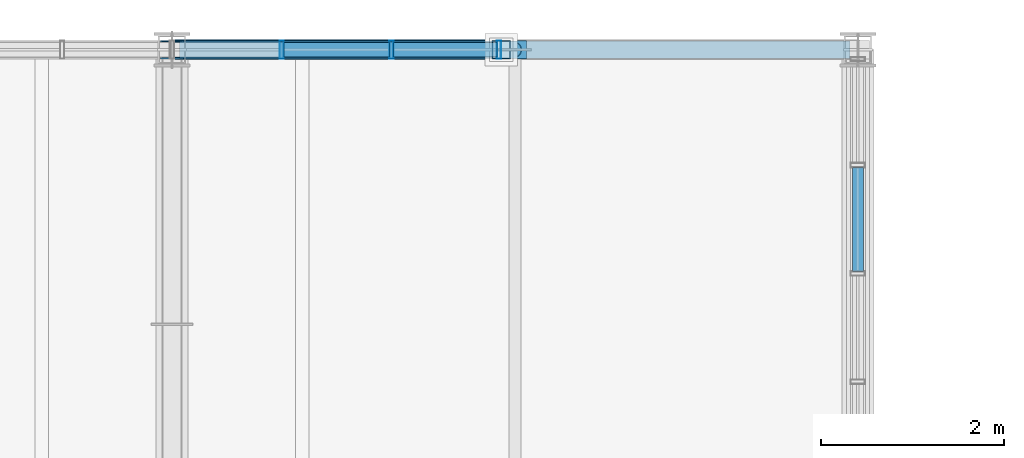
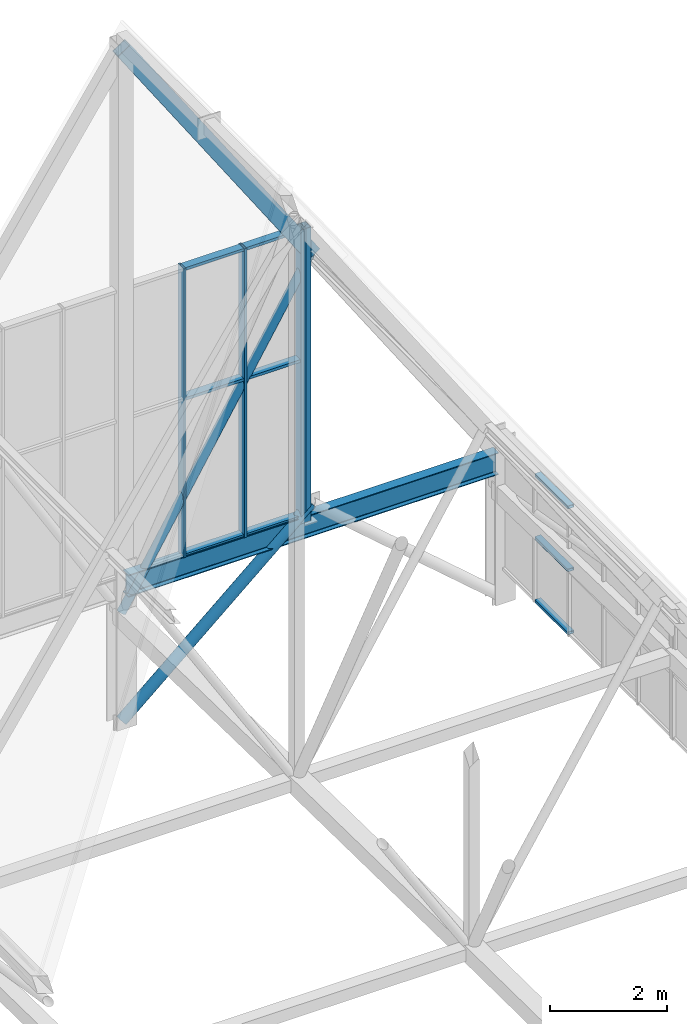
# One storey, part 243 of 324: 16 members, 1 beam, 2 elements without a shape of their own.
"""IFC4 building model written with IfcOpenShell, lengths in metres."""

from ifc_helpers import new_model, si_unit, direction, frame, origin, origin_2d, place, context, subcontext, project, spatial, hollow_rectangle, hollow_circle, i_section, extrude, material, layer, layer_set, material_profile, profile_set, type_object, element, aggregate, save


model = new_model("IFC4")

# Units and contexts
model_context = context("Model", 3, precision=1e-05, world=origin(), true_north=direction((0.0, 1.0)))
body_context = subcontext(model_context, "Body", "Model", "MODEL_VIEW")
ifc_project = project(units=[si_unit("LENGTHUNIT", "METRE"), si_unit("AREAUNIT", "SQUARE_METRE"), si_unit("VOLUMEUNIT", "CUBIC_METRE"), si_unit("PLANEANGLEUNIT", "RADIAN"), si_unit("MASSUNIT", "GRAM", prefix="KILO")], contexts=[model_context])

# Site, building, storey
site_placement = place(None, origin())
site = spatial("IfcSite", under=ifc_project, at=site_placement, CompositionType="ELEMENT")
building_placement = place(site_placement, origin())
building = spatial("IfcBuilding", under=site, at=building_placement, Name="Solvenia Promenade Tram Depot", CompositionType="ELEMENT")
storey_placement = place(building_placement, frame((0.0, 0.0, 4.5)))
storey = spatial("IfcBuildingStorey", under=building, at=storey_placement, Name="L01", CompositionType="ELEMENT", Elevation=4.5)

# Member
ifc_material_1 = material(Name="Structural steel ASTM A500 Gr. C", Category="steel")
ifc_material_profile_1 = material_profile(ifc_material_1, hollow_circle(Radius=0.109619140625, WallThickness=0.008056640625, at=origin_2d()), Name="CHS219.1x8", Category="steel")
ifc_profile_set_1 = profile_set([ifc_material_profile_1], Name="Structural steel ASTM A500 Gr. C")
member_type_1 = type_object("IfcMemberType", Name="Brace-CHS219x8", PredefinedType="BRACE", material=ifc_profile_set_1)
member_1_placement = place(storey_placement, frame((142.5, 126.0, 0.050048828125), z_axis=(0.75568908279, 0.0, 0.654930538418), x_axis=(0.0, 1.0, 0.0)))
element("IfcMember", 1, at=member_1_placement, inside=storey, type_object=member_type_1, Name="PAC-DES Chevron Brace 06L", PredefinedType="BRACE", context=body_context, shape_type="SweptSolid", body=[
    extrude(hollow_circle(Radius=0.109619140625, WallThickness=0.008056640625, at=origin_2d()), origin(), (0.0, 0.0, 1.0), 4.96240234375),
])

# Curtain wall, members
ifc_material_2 = material(Name="Anodized aluminium AW-6063 T6", Category="aluminium")
ifc_layer_1 = layer(ifc_material_2, 0.14990234375, Name="Anodized aluminium AW-6063 T6", Category="aluminium")
ifc_layer_set_1 = layer_set([ifc_layer_1], Name="Anodized aluminium AW-6063 T6")
curtain_wall_type_1 = type_object("IfcCurtainWallType", Name="CW-Gable-1200", PredefinedType="NOTDEFINED", material=ifc_layer_set_1)
curtain_wall_1_placement = place(storey_placement, origin())
curtain_wall_1 = element("IfcCurtainWall", 2, at=curtain_wall_1_placement, inside=storey, type_object=curtain_wall_type_1, Name="North Zigzag Gable 10 Peak Glazing", PredefinedType="NOTDEFINED")
ifc_material_profile_2 = material_profile(ifc_material_2, hollow_rectangle(XDim=0.199951171875, YDim=0.048095703125, WallThickness=0.00390625, at=origin_2d()), Name="ALU-M3", Category="aluminium")
ifc_profile_set_2 = profile_set([ifc_material_profile_2], Name="Anodized aluminium AW-6063 T6")
member_type_2 = type_object("IfcMemberType", Name="CWM-Mullion-3", PredefinedType="MULLION", material=ifc_profile_set_2)
member_2_placement = place(storey_placement, frame((143.699951171875, 126.0, 3.10009765625), z_axis=(0.0, 0.0, 1.0), x_axis=(0.0, 1.0, 0.0)))
member_2 = element("IfcMember", 3, at=member_2_placement, type_object=member_type_2, Name="CW-3 mullion 5", PredefinedType="MULLION", context=body_context, shape_type="SweptSolid", body=[
    extrude(hollow_rectangle(XDim=0.199951171875, YDim=0.048095703125, WallThickness=0.00390625, at=origin_2d()), origin(), (0.0, 0.0, 1.0), 6.0498046875),
])
member_3_placement = place(storey_placement, frame((144.89990234375, 126.0, 3.10009765625), z_axis=(0.0, 0.0, 1.0), x_axis=(0.0, 1.0, 0.0)))
member_3 = element("IfcMember", 4, at=member_3_placement, type_object=member_type_2, Name="CW-3 mullion 6", PredefinedType="MULLION", context=body_context, shape_type="SweptSolid", body=[
    extrude(hollow_rectangle(XDim=0.199951171875, YDim=0.048095703125, WallThickness=0.00390625, at=origin_2d()), origin(), (0.0, 0.0, 1.0), 6.0498046875),
])
member_4_placement = place(storey_placement, frame((146.075927734375, 126.0, 3.10009765625), z_axis=(0.0, 0.0, 1.0), x_axis=(0.0, 1.0, 0.0)))
member_4 = element("IfcMember", 5, at=member_4_placement, type_object=member_type_2, Name="CW-3 mullion 7", PredefinedType="MULLION", context=body_context, shape_type="SweptSolid", body=[
    extrude(hollow_rectangle(XDim=0.199951171875, YDim=0.048095703125, WallThickness=0.00390625, at=origin_2d()), origin(), (0.0, 0.0, 1.0), 6.0498046875),
])

ifc_layer_2 = layer(ifc_material_2, 0.159912109375, Name="Anodized aluminium AW-6063 T6", Category="aluminium")
ifc_layer_set_2 = layer_set([ifc_layer_2], Name="Anodized aluminium AW-6063 T6")
curtain_wall_type_2 = type_object("IfcCurtainWallType", Name="CW-Channel-1200", PredefinedType="NOTDEFINED", material=ifc_layer_set_2)
curtain_wall_2_placement = place(storey_placement, origin())
curtain_wall_2 = element("IfcCurtainWall", 6, at=curtain_wall_2_placement, inside=storey, type_object=curtain_wall_type_2, Name="Curtain Wall CW-V1E-10", PredefinedType="NOTDEFINED")
ifc_material_profile_3 = material_profile(ifc_material_2, hollow_rectangle(XDim=0.1201171875, YDim=0.06005859375, WallThickness=0.00390625, at=origin_2d()), Name="ALU-T1", Category="aluminium")
ifc_profile_set_3 = profile_set([ifc_material_profile_3], Name="Anodized aluminium AW-6063 T6")
member_type_3 = type_object("IfcMemberType", Name="CWT-Transom-1", PredefinedType="USERDEFINED", material=ifc_profile_set_3)
member_5_placement = place(storey_placement, frame((150.0, 123.577880859375, 0.72998046875), z_axis=(0.0, 1.0, 0.0), x_axis=(-1.0, 0.0, 0.0)))
member_5 = element("IfcMember", 7, at=member_5_placement, type_object=member_type_3, Name="CW-1 transom 4.1", ObjectType="TRANSOM", PredefinedType="USERDEFINED", context=body_context, shape_type="SweptSolid", body=[
    extrude(hollow_rectangle(XDim=0.1201171875, YDim=0.06005859375, WallThickness=0.00390625, at=origin_2d()), origin(), (0.0, 0.0, 1.0), 1.132080078125),
])
member_6_placement = place(storey_placement, frame((150.0, 123.577880859375, 2.050048828125), z_axis=(0.0, 1.0, 0.0), x_axis=(-1.0, 0.0, 0.0)))
member_6 = element("IfcMember", 8, at=member_6_placement, type_object=member_type_3, Name="CW-1 transom 4.2", ObjectType="TRANSOM", PredefinedType="USERDEFINED", context=body_context, shape_type="SweptSolid", body=[
    extrude(hollow_rectangle(XDim=0.1201171875, YDim=0.06005859375, WallThickness=0.00390625, at=origin_2d()), origin(), (0.0, 0.0, 1.0), 1.132080078125),
])
member_7_placement = place(storey_placement, frame((150.0, 123.577880859375, 3.3701171875), z_axis=(0.0, 1.0, 0.0), x_axis=(-1.0, 0.0, 0.0)))
member_7 = element("IfcMember", 9, at=member_7_placement, type_object=member_type_3, Name="CW-1 transom 4.3", ObjectType="TRANSOM", PredefinedType="USERDEFINED", context=body_context, shape_type="SweptSolid", body=[
    extrude(hollow_rectangle(XDim=0.1201171875, YDim=0.06005859375, WallThickness=0.00390625, at=origin_2d()), origin(), (0.0, 0.0, 1.0), 1.132080078125),
])
aggregate(curtain_wall_2, [member_5, member_6, member_7])

# Member
ifc_material_profile_4 = material_profile(ifc_material_2, hollow_rectangle(XDim=0.159912109375, YDim=0.05810546875, WallThickness=0.00390625, at=origin_2d()), Name="ALU-T3", Category="aluminium")
ifc_profile_set_4 = profile_set([ifc_material_profile_4], Name="Anodized aluminium AW-6063 T6")
member_type_4 = type_object("IfcMemberType", Name="CWT-Transom-3", PredefinedType="USERDEFINED", material=ifc_profile_set_4)
member_8_placement = place(storey_placement, frame((143.72412109375, 126.0, 3.12890625), z_axis=(1.0, 0.0, 0.0), x_axis=(0.0, 1.0, 0.0)))
member_8 = element("IfcMember", 10, at=member_8_placement, type_object=member_type_4, Name="CW-3 transom 5.1", ObjectType="TRANSOM", PredefinedType="USERDEFINED", context=body_context, shape_type="SweptSolid", body=[
    extrude(hollow_rectangle(XDim=0.159912109375, YDim=0.05810546875, WallThickness=0.00390625, at=origin_2d()), origin(), (0.0, 0.0, 1.0), 1.15185546875),
])

member_9_placement = place(storey_placement, frame((143.72412109375, 126.0, 6.39990234375), z_axis=(1.0, 0.0, 0.0), x_axis=(0.0, 1.0, 0.0)))
member_9 = element("IfcMember", 11, at=member_9_placement, type_object=member_type_4, Name="CW-3 transom 5.2", ObjectType="TRANSOM", PredefinedType="USERDEFINED", context=body_context, shape_type="SweptSolid", body=[
    extrude(hollow_rectangle(XDim=0.159912109375, YDim=0.05810546875, WallThickness=0.00390625, at=origin_2d()), origin(), (0.0, 0.0, 1.0), 1.15185546875),
])

member_10_placement = place(storey_placement, frame((143.72412109375, 126.0, 9.12109375), z_axis=(1.0, 0.0, 0.0), x_axis=(0.0, 1.0, 0.0)))
member_10 = element("IfcMember", 12, at=member_10_placement, type_object=member_type_4, Name="CW-3 transom 5.3", ObjectType="TRANSOM", PredefinedType="USERDEFINED", context=body_context, shape_type="SweptSolid", body=[
    extrude(hollow_rectangle(XDim=0.159912109375, YDim=0.05810546875, WallThickness=0.00390625, at=origin_2d()), origin(), (0.0, 0.0, 1.0), 1.15185546875),
])

member_11_placement = place(storey_placement, frame((144.924072265625, 126.0, 3.12890625), z_axis=(1.0, 0.0, 0.0), x_axis=(0.0, 1.0, 0.0)))
member_11 = element("IfcMember", 13, at=member_11_placement, type_object=member_type_4, Name="CW-3 transom 6.1", ObjectType="TRANSOM", PredefinedType="USERDEFINED", context=body_context, shape_type="SweptSolid", body=[
    extrude(hollow_rectangle(XDim=0.159912109375, YDim=0.05810546875, WallThickness=0.00390625, at=origin_2d()), origin(), (0.0, 0.0, 1.0), 1.1279296875),
])

member_12_placement = place(storey_placement, frame((144.924072265625, 126.0, 6.39990234375), z_axis=(1.0, 0.0, 0.0), x_axis=(0.0, 1.0, 0.0)))
member_12 = element("IfcMember", 14, at=member_12_placement, type_object=member_type_4, Name="CW-3 transom 6.2", ObjectType="TRANSOM", PredefinedType="USERDEFINED", context=body_context, shape_type="SweptSolid", body=[
    extrude(hollow_rectangle(XDim=0.159912109375, YDim=0.05810546875, WallThickness=0.00390625, at=origin_2d()), origin(), (0.0, 0.0, 1.0), 1.1279296875),
])

member_13_placement = place(storey_placement, frame((144.924072265625, 126.0, 9.12109375), z_axis=(1.0, 0.0, 0.0), x_axis=(0.0, 1.0, 0.0)))
member_13 = element("IfcMember", 15, at=member_13_placement, type_object=member_type_4, Name="CW-3 transom 6.3", ObjectType="TRANSOM", PredefinedType="USERDEFINED", context=body_context, shape_type="SweptSolid", body=[
    extrude(hollow_rectangle(XDim=0.159912109375, YDim=0.05810546875, WallThickness=0.00390625, at=origin_2d()), origin(), (0.0, 0.0, 1.0), 1.1279296875),
])

aggregate(curtain_wall_1, [member_2, member_3, member_4, member_8, member_9, member_10, member_11, member_12, member_13])

# Members
ifc_material_profile_5 = material_profile(ifc_material_1, hollow_rectangle(XDim=0.199951171875, YDim=0.300048828125, WallThickness=0.012451171875, at=origin_2d()), Name="HSS300x200x12.5", Category="steel")
ifc_profile_set_5 = profile_set([ifc_material_profile_5], Name="Structural steel ASTM A500 Gr. C")
member_type_5 = type_object("IfcMemberType", Name="Chord-HSS300x200x12", PredefinedType="CHORD", material=ifc_profile_set_5)
member_14_placement = place(storey_placement, frame((142.5, 126.0, 14.132080078125), z_axis=(0.557259486914, 0.0, -0.83033840345), x_axis=(0.0, 1.0, 0.0)))
element("IfcMember", 16, at=member_14_placement, inside=storey, type_object=member_type_5, Name="Zigzag Gable 10 East Upper Rafter", PredefinedType="CHORD", context=body_context, shape_type="SweptSolid", body=[
    extrude(hollow_rectangle(XDim=0.199951171875, YDim=0.300048828125, WallThickness=0.012451171875, at=origin_2d()), origin(), (0.0, 0.0, 1.0), 6.729248046875),
])
ifc_material_profile_6 = material_profile(ifc_material_1, hollow_rectangle(XDim=0.199951171875, YDim=0.199951171875, WallThickness=0.010009765625, at=origin_2d()), Name="HSS200x200x10", Category="steel")
ifc_profile_set_6 = profile_set([ifc_material_profile_6], Name="Structural steel ASTM A500 Gr. C")
member_type_6 = type_object("IfcMemberType", Name="Post-HSS200x200x10", PredefinedType="POST", material=ifc_profile_set_6)
member_15_placement = place(storey_placement, frame((146.10009765625, 126.0, 3.0), z_axis=(0.0, 0.0, 1.0), x_axis=(1.0, 0.0, 0.0)))
element("IfcMember", 17, at=member_15_placement, inside=storey, type_object=member_type_6, Name="Gable Curtain-Wall Steel Jamb Post 038", PredefinedType="POST", context=body_context, shape_type="SweptSolid", body=[
    extrude(hollow_rectangle(XDim=0.199951171875, YDim=0.199951171875, WallThickness=0.010009765625, at=origin_2d()), origin(), (0.0, 0.0, 1.0), 6.14990234375),
])

# Beam
ifc_material_3 = material(Name="Structural steel ASTM A992 Gr. 50", Category="steel")
ifc_material_profile_7 = material_profile(ifc_material_3, i_section(OverallWidth=0.19091796875, OverallDepth=0.4599609375, WebThickness=0.010009765625, FlangeThickness=0.01611328125, FilletRadius=0.012939453125, at=origin_2d()), Name="W460x82", Category="steel")
ifc_profile_set_7 = profile_set([ifc_material_profile_7], Name="Structural steel ASTM A992 Gr. 50")
beam_type = type_object("IfcBeamType", Name="Spandrel-W460x82", PredefinedType="SPANDREL", material=ifc_profile_set_7)
beam_placement = place(storey_placement, frame((142.5849609375, 126.0, 2.889892578125), z_axis=(1.0, 0.0, 0.0), x_axis=(0.0, 1.0, 0.0)))
element("IfcBeam", 18, at=beam_placement, inside=storey, type_object=beam_type, Name="North Shed Eave Girder BM-L01-0987", PredefinedType="SPANDREL", context=body_context, shape_type="SweptSolid", body=[
    extrude(i_section(OverallWidth=0.19091796875, OverallDepth=0.4599609375, WebThickness=0.010009765625, FlangeThickness=0.01611328125, FilletRadius=0.012939453125, at=origin_2d()), origin(), (0.0, 0.0, 1.0), 7.330078125),
])

# Member
ifc_material_profile_8 = material_profile(ifc_material_1, hollow_circle(Radius=0.084228515625, WallThickness=0.008056640625, at=origin_2d()), Name="CHS168.3x8", Category="steel")
ifc_profile_set_8 = profile_set([ifc_material_profile_8], Name="Structural steel ASTM A500 Gr. C")
member_type_7 = type_object("IfcMemberType", Name="WebDiag-CHS168x8", PredefinedType="BRACE", material=ifc_profile_set_8)
member_16_placement = place(storey_placement, frame((142.5, 126.0, 2.320068359375), z_axis=(0.516051243619, 0.0, 0.856557711984), x_axis=(0.0, 1.0, 0.0)))
element("IfcMember", 19, at=member_16_placement, inside=storey, type_object=member_type_7, Name="Zigzag Gable 10 East Knee Strut", PredefinedType="BRACE", context=body_context, shape_type="SweptSolid", body=[
    extrude(hollow_circle(Radius=0.084228515625, WallThickness=0.008056640625, at=origin_2d()), origin(), (0.0, 0.0, 1.0), 7.2666015625),
])

save(model, "model.ifc")
